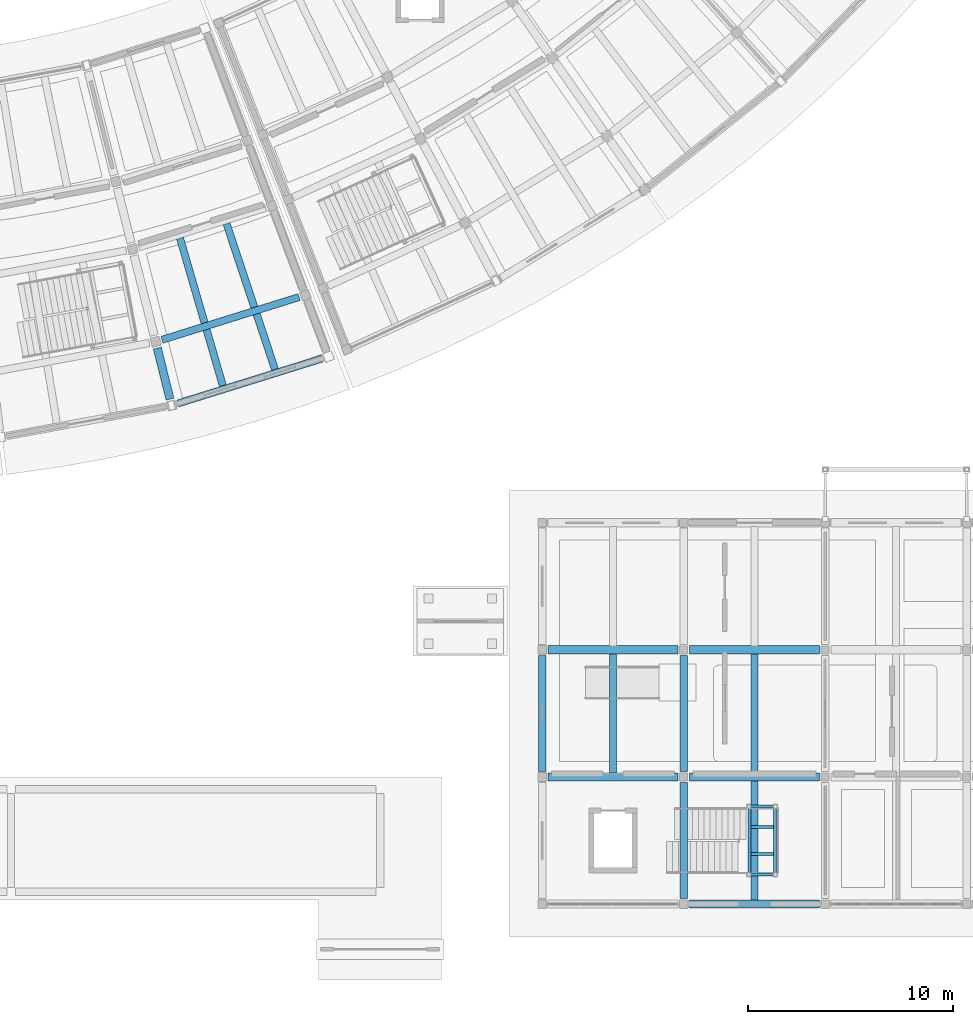
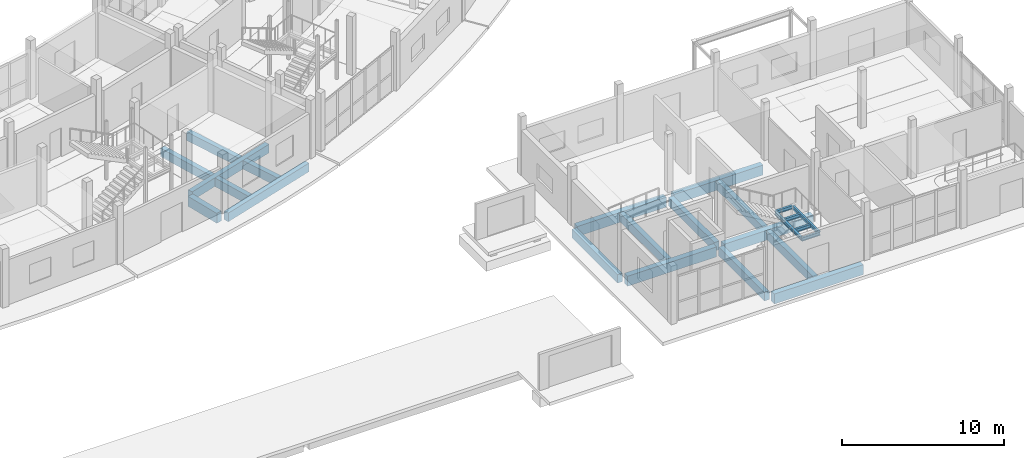
# One storey, part 31 of 92: 22 beams.
"""IFC4 building model written with IfcOpenShell, lengths in metres."""

from ifc_helpers import new_model, si_unit, direction, frame, origin, origin_2d, place, context, subcontext, project, spatial, rectangle, i_section, extrude, material, material_profile, profile_set, type_object, element, save


model = new_model("IFC4")

# Units and contexts
model_context = context("Model", 3, precision=1e-05, world=origin(), true_north=direction((0.0, 1.0)))
body_context = subcontext(model_context, "Body", "Model", "MODEL_VIEW")
ifc_project = project(units=[si_unit("LENGTHUNIT", "METRE"), si_unit("AREAUNIT", "SQUARE_METRE"), si_unit("VOLUMEUNIT", "CUBIC_METRE"), si_unit("PLANEANGLEUNIT", "RADIAN"), si_unit("MASSUNIT", "GRAM", prefix="KILO")], contexts=[model_context])

# Site, building, storey
site_placement = place(None, origin())
site = spatial("IfcSite", under=ifc_project, at=site_placement, CompositionType="ELEMENT")
building_placement = place(site_placement, origin())
building = spatial("IfcBuilding", under=site, at=building_placement, Name="Caldaven Crescent School", CompositionType="ELEMENT")
storey_placement = place(building_placement, origin())
storey = spatial("IfcBuildingStorey", under=building, at=storey_placement, Name="L00", CompositionType="ELEMENT", Elevation=0.0)

# Beams
ifc_material_1 = material(Name="Concrete C30/37", Category="concrete")
ifc_material_profile_1 = material_profile(ifc_material_1, rectangle(XDim=0.35009765625, YDim=0.64990234375, at=origin_2d()), Name="RC 350x650")
ifc_profile_set_1 = profile_set([ifc_material_profile_1], Name="Concrete C30/37")
beam_type_1 = type_object("IfcBeamType", Name="BM-RC35", PredefinedType="BEAM", material=ifc_profile_set_1)
beam_1_placement = place(storey_placement, frame((122.89990234375, 10.669921875, -0.5849609375), z_axis=(0.0, 1.0, 0.0), x_axis=(-1.0, 0.0, 0.0)))
element("IfcBeam", 1, at=beam_1_placement, inside=storey, type_object=beam_type_1, Name="BMY-V3-L00-0439", PredefinedType="BEAM", context=body_context, shape_type="SweptSolid", body=[
    extrude(rectangle(XDim=0.35009765625, YDim=0.64990234375, at=origin_2d()), origin(), (0.0, 0.0, 1.0), 5.66015625),
])
beam_2_placement = place(storey_placement, frame((129.800048828125, 4.469970703125, -0.5849609375), z_axis=(0.0, 1.0, 0.0), x_axis=(-1.0, 0.0, 0.0)))
element("IfcBeam", 2, at=beam_2_placement, inside=storey, type_object=beam_type_1, Name="BMY-V3-L00-0441", PredefinedType="BEAM", context=body_context, shape_type="SweptSolid", body=[
    extrude(rectangle(XDim=0.35009765625, YDim=0.64990234375, at=origin_2d()), origin(), (0.0, 0.0, 1.0), 5.659912109375),
])
beam_3_placement = place(storey_placement, frame((129.800048828125, 10.669921875, -0.5849609375), z_axis=(0.0, 1.0, 0.0), x_axis=(-1.0, 0.0, 0.0)))
element("IfcBeam", 3, at=beam_3_placement, inside=storey, type_object=beam_type_1, Name="BMY-V3-L00-0442", PredefinedType="BEAM", context=body_context, shape_type="SweptSolid", body=[
    extrude(rectangle(XDim=0.35009765625, YDim=0.64990234375, at=origin_2d()), origin(), (0.0, 0.0, 1.0), 5.66015625),
])
for number, where, z_axis, x_axis, name in (
    (4, (126.35009765625, 10.594970703125, -0.5849609375), (0.0, 1.0, 0.0), (-1.0, 0.0, 0.0), "JS-V3-L00-0453"),
    (5, (133.25, 4.39501953125, -0.5849609375), (0.0, 1.0, 0.0), (-1.0, 0.0, 0.0), "JS-V3-L00-0455"),
    (6, (133.25, 10.594970703125, -0.5849609375), (0.0, 1.0, 0.0), (-1.0, 0.0, 0.0), "JS-V3-L00-0456"),
):
    element("IfcBeam", number, at=place(storey_placement, frame(where, z_axis=z_axis, x_axis=x_axis)), inside=storey, type_object=beam_type_1, Name=name, PredefinedType="BEAM", context=body_context, shape_type="SweptSolid", body=[
        extrude(rectangle(XDim=0.35009765625, YDim=0.64990234375, at=origin_2d()), origin(), (0.0, 0.0, 1.0), 5.81005859375),
    ])
beam_4_placement = place(storey_placement, frame((104.35693359375, 31.716064453125, -0.5849609375), z_axis=(0.954746869567, 0.297419594265, 0.0), x_axis=(-0.297419594265, 0.954746869567, 0.0)))
element("IfcBeam", 7, at=beam_4_placement, inside=storey, type_object=beam_type_1, Name="BMT-V5-L00-0858", PredefinedType="BEAM", context=body_context, shape_type="SweptSolid", body=[
    extrude(rectangle(XDim=0.35009765625, YDim=0.64990234375, at=origin_2d()), origin(), (0.0, 0.0, 1.0), 7.005126953125),
])
for number, where, z_axis, x_axis, name in (
    (8, (105.236572265625, 36.67431640625, -0.5849609375), (0.278997137609, -0.960291933323, 0.0), (0.960291933323, 0.278997137609, 0.0), "JSR-V5-L00-0861"),
    (9, (107.50537109375, 37.381103515625, -0.5849609375), (0.315719808041, -0.948852466304, 0.0), (0.948852466304, 0.315719808041, 0.0), "JSR-V5-L00-0863"),
):
    element("IfcBeam", number, at=place(storey_placement, frame(where, z_axis=z_axis, x_axis=x_axis)), inside=storey, type_object=beam_type_1, Name=name, PredefinedType="BEAM", context=body_context, shape_type="SweptSolid", body=[
        extrude(rectangle(XDim=0.35009765625, YDim=0.64990234375, at=origin_2d()), origin(), (0.0, 0.0, 1.0), 7.49853515625),
    ])
ifc_material_2 = material(Name="Concrete C35/45", Category="concrete")
ifc_material_profile_2 = material_profile(ifc_material_2, rectangle(XDim=0.39990234375, YDim=0.75, at=origin_2d()), Name="RC 400x750")
ifc_profile_set_2 = profile_set([ifc_material_profile_2], Name="Concrete C35/45")
beam_type_2 = type_object("IfcBeamType", Name="BM-RC40", PredefinedType="BEAM", material=ifc_profile_set_2)
beam_5_placement = place(storey_placement, frame((130.070068359375, 4.199951171875, -0.635009765625), z_axis=(1.0, 0.0, 0.0), x_axis=(0.0, 1.0, 0.0)))
element("IfcBeam", 10, at=beam_5_placement, inside=storey, type_object=beam_type_2, Name="BMX-V3-L00-0423", PredefinedType="BEAM", context=body_context, shape_type="SweptSolid", body=[
    extrude(rectangle(XDim=0.39990234375, YDim=0.75, at=origin_2d()), origin(), (0.0, 0.0, 1.0), 6.35986328125),
])
beam_6_placement = place(storey_placement, frame((123.169921875, 10.39990234375, -0.635009765625), z_axis=(1.0, 0.0, 0.0), x_axis=(0.0, 1.0, 0.0)))
element("IfcBeam", 11, at=beam_6_placement, inside=storey, type_object=beam_type_2, Name="BMX-V3-L00-0426", PredefinedType="BEAM", context=body_context, shape_type="SweptSolid", body=[
    extrude(rectangle(XDim=0.39990234375, YDim=0.75, at=origin_2d()), origin(), (0.0, 0.0, 1.0), 6.360107421875),
])
beam_7_placement = place(storey_placement, frame((130.070068359375, 10.39990234375, -0.635009765625), z_axis=(1.0, 0.0, 0.0), x_axis=(0.0, 1.0, 0.0)))
element("IfcBeam", 12, at=beam_7_placement, inside=storey, type_object=beam_type_2, Name="BMX-V3-L00-0427", PredefinedType="BEAM", context=body_context, shape_type="SweptSolid", body=[
    extrude(rectangle(XDim=0.39990234375, YDim=0.75, at=origin_2d()), origin(), (0.0, 0.0, 1.0), 6.35986328125),
])
beam_8_placement = place(storey_placement, frame((123.169921875, 16.60009765625, -0.635009765625), z_axis=(1.0, 0.0, 0.0), x_axis=(0.0, 1.0, 0.0)))
element("IfcBeam", 13, at=beam_8_placement, inside=storey, type_object=beam_type_2, Name="BMX-V3-L00-0430", PredefinedType="BEAM", context=body_context, shape_type="SweptSolid", body=[
    extrude(rectangle(XDim=0.39990234375, YDim=0.75, at=origin_2d()), origin(), (0.0, 0.0, 1.0), 6.360107421875),
])
beam_9_placement = place(storey_placement, frame((130.070068359375, 16.60009765625, -0.635009765625), z_axis=(1.0, 0.0, 0.0), x_axis=(0.0, 1.0, 0.0)))
element("IfcBeam", 14, at=beam_9_placement, inside=storey, type_object=beam_type_2, Name="BMX-V3-L00-0431", PredefinedType="BEAM", context=body_context, shape_type="SweptSolid", body=[
    extrude(rectangle(XDim=0.39990234375, YDim=0.75, at=origin_2d()), origin(), (0.0, 0.0, 1.0), 6.35986328125),
])
beam_10_placement = place(storey_placement, frame((104.12890625, 31.310302734375, -0.635009765625), z_axis=(0.241952144903, -0.970288183777, 0.0), x_axis=(0.970288183777, 0.241952144903, 0.0)))
element("IfcBeam", 15, at=beam_10_placement, inside=storey, type_object=beam_type_2, Name="BMR-V5-L00-0809", PredefinedType="BEAM", context=body_context, shape_type="SweptSolid", body=[
    extrude(rectangle(XDim=0.39990234375, YDim=0.75, at=origin_2d()), origin(), (0.0, 0.0, 1.0), 2.56005859375),
])
ifc_material_3 = material(Name="Steel ASTM A572 Grade 50", Category="steel")
ifc_material_profile_3 = material_profile(ifc_material_3, i_section(OverallWidth=0.14599609375, OverallDepth=0.258056640625, WebThickness=0.006103515625, FlangeThickness=0.009033203125, FilletRadius=0.011962890625, at=origin_2d()), Name="W250x33")
ifc_profile_set_3 = profile_set([ifc_material_profile_3], Name="Steel ASTM A572 Grade 50")
beam_type_3 = type_object("IfcBeamType", Name="BM-W25", PredefinedType="BEAM", material=ifc_profile_set_3)
for number, where, z_axis, x_axis, name in (
    (16, (132.969970703125, 5.639892578125, 1.885986328125), (1.0, 0.0, 0.0), (0.0, 1.0, 0.0), "BM-STSIDE-STV3-L00-SL"),
    (17, (132.969970703125, 8.9599609375, 1.885986328125), (1.0, 0.0, 0.0), (0.0, 1.0, 0.0), "BM-STSIDE-STV3-L00-SR"),
):
    element("IfcBeam", number, at=place(storey_placement, frame(where, z_axis=z_axis, x_axis=x_axis)), inside=storey, type_object=beam_type_3, Name=name, PredefinedType="BEAM", context=body_context, shape_type="SweptSolid", body=[
        extrude(i_section(OverallWidth=0.14599609375, OverallDepth=0.258056640625, WebThickness=0.006103515625, FlangeThickness=0.009033203125, FilletRadius=0.011962890625, at=origin_2d()), origin(), (0.0, 0.0, 1.0), 1.300048828125),
    ])
for number, where, z_axis, x_axis, name in (
    (18, (133.0, 5.639892578125, 1.885986328125), (0.0, 1.0, 0.0), (-1.0, 0.0, 0.0), "BM-STLND-STV3-L00-IN"),
    (19, (134.25, 5.639892578125, 1.885986328125), (0.0, 1.0, 0.0), (-1.0, 0.0, 0.0), "BM-STLND-STV3-L00-OUT"),
):
    element("IfcBeam", number, at=place(storey_placement, frame(where, z_axis=z_axis, x_axis=x_axis)), inside=storey, type_object=beam_type_3, Name=name, PredefinedType="BEAM", context=body_context, shape_type="SweptSolid", body=[
        extrude(i_section(OverallWidth=0.14599609375, OverallDepth=0.258056640625, WebThickness=0.006103515625, FlangeThickness=0.009033203125, FilletRadius=0.011962890625, at=origin_2d()), origin(), (0.0, 0.0, 1.0), 3.320068359375),
    ])
ifc_material_profile_4 = material_profile(ifc_material_3, i_section(OverallWidth=0.14599609375, OverallDepth=0.258056640625, WebThickness=0.006103515625, FlangeThickness=0.009033203125, FilletRadius=0.011962890625, at=origin_2d()), Name="W250x33")
ifc_profile_set_4 = profile_set([ifc_material_profile_4], Name="Steel ASTM A572 Grade 50")
beam_type_4 = type_object("IfcBeamType", Name="LN-W25", PredefinedType="LINTEL", material=ifc_profile_set_4)
for number, where, z_axis, x_axis, name in (
    (20, (133.080078125, 6.64990234375, 1.885986328125), (1.0, 0.0, 0.0), (0.0, 1.0, 0.0), "BM-STJST-STV3-L00-JL"),
    (21, (133.080078125, 7.949951171875, 1.885986328125), (1.0, 0.0, 0.0), (0.0, 1.0, 0.0), "BM-STJST-STV3-L00-JR"),
):
    element("IfcBeam", number, at=place(storey_placement, frame(where, z_axis=z_axis, x_axis=x_axis)), inside=storey, type_object=beam_type_4, Name=name, PredefinedType="LINTEL", context=body_context, shape_type="SweptSolid", body=[
        extrude(i_section(OverallWidth=0.14599609375, OverallDepth=0.258056640625, WebThickness=0.006103515625, FlangeThickness=0.009033203125, FilletRadius=0.011962890625, at=origin_2d()), origin(), (0.0, 0.0, 1.0), 1.08984375),
    ])
ifc_material_profile_5 = material_profile(ifc_material_1, rectangle(XDim=0.35009765625, YDim=0.64990234375, at=origin_2d()), Name="RC 350x650")
ifc_profile_set_5 = profile_set([ifc_material_profile_5], Name="Concrete C30/37")
beam_type_5 = type_object("IfcBeamType", Name="SP-RC35", PredefinedType="SPANDREL", material=ifc_profile_set_5)
beam_11_placement = place(storey_placement, frame((105.131103515625, 28.611083984375, -0.5849609375), z_axis=(0.954748816423, 0.297413344589, 0.0), x_axis=(-0.297413344589, 0.954748816423, 0.0)))
element("IfcBeam", 22, at=beam_11_placement, inside=storey, type_object=beam_type_5, Name="BMT-V5-L00-0859", PredefinedType="SPANDREL", context=body_context, shape_type="SweptSolid", body=[
    extrude(rectangle(XDim=0.35009765625, YDim=0.64990234375, at=origin_2d()), origin(), (0.0, 0.0, 1.0), 7.3740234375),
])

save(model, "model.ifc")
